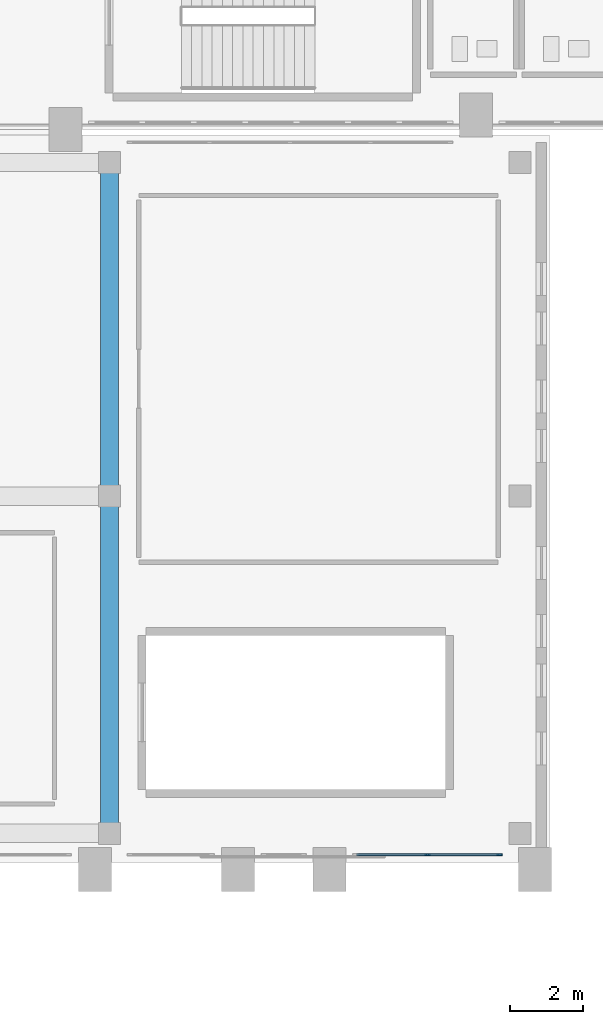
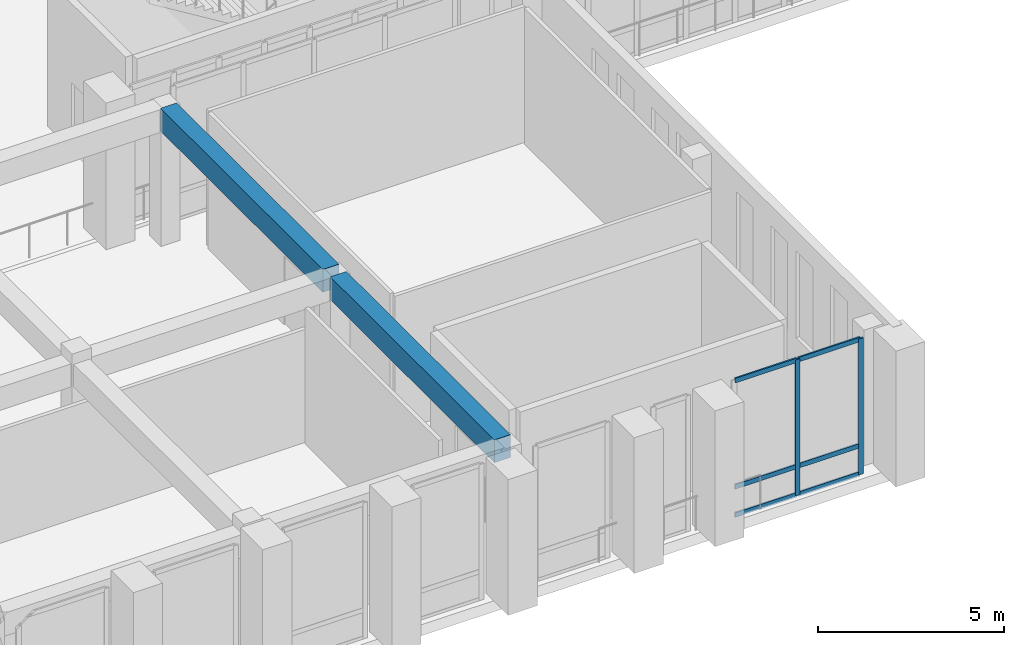
# One storey, part 19 of 126: 8 members, 2 beams, 1 element without a shape of its own.
"""IFC4 building model written with IfcOpenShell, lengths in metres."""

from ifc_helpers import new_model, si_unit, derived_unit, direction, frame, origin, origin_2d, place, context, subcontext, project, spatial, rectangle, extrude, material, layer, layer_set, material_profile, profile_set, type_object, element, aggregate, save


model = new_model("IFC4")

# Units and contexts
model_context = context("Model", 3, precision=1e-05, world=origin(), true_north=direction((0.0, 1.0)))
body_context = subcontext(model_context, "Body", "Model", "MODEL_VIEW")
ifc_project = project(units=[si_unit("LENGTHUNIT", "METRE"), si_unit("AREAUNIT", "SQUARE_METRE"), si_unit("VOLUMEUNIT", "CUBIC_METRE"), si_unit("PLANEANGLEUNIT", "RADIAN"), si_unit("MASSUNIT", "GRAM", prefix="KILO"), derived_unit("THERMALTRANSMITTANCEUNIT", [(si_unit("MASSUNIT", "GRAM", prefix="KILO"), 1), (si_unit("TIMEUNIT", "SECOND"), -3), (si_unit("THERMODYNAMICTEMPERATUREUNIT", "KELVIN"), -1)])], contexts=[model_context])

# Site, building, storey
site_placement = place(None, origin())
site = spatial("IfcSite", under=ifc_project, at=site_placement, CompositionType="ELEMENT")
building_placement = place(site_placement, origin())
building = spatial("IfcBuilding", under=site, at=building_placement, Name="Valcora Ridge Arena", CompositionType="ELEMENT")
storey_placement = place(building_placement, frame((0.0, 0.0, 11.39990234375)))
storey = spatial("IfcBuildingStorey", under=building, at=storey_placement, Name="L02", CompositionType="ELEMENT", Elevation=11.39990234375)

# Beams
ifc_material_1 = material(Name="Concrete C40/50", Category="concrete")
ifc_material_profile_1 = material_profile(ifc_material_1, rectangle(XDim=0.5, YDim=0.75, at=origin_2d()), Name="RC 500x750")
ifc_profile_set_1 = profile_set([ifc_material_profile_1], Name="Concrete C40/50")
beam_type = type_object("IfcBeamType", Name="TY-BEAM-B-RC500-Y", PredefinedType="BEAM", material=ifc_profile_set_1)
beam_1_placement = place(storey_placement, frame((48.0, 1.0, 4.0751953125), z_axis=(0.0, 1.0, 0.0), x_axis=(-1.0, 0.0, 0.0)))
element("IfcBeam", 1, at=beam_1_placement, inside=storey, type_object=beam_type, Name="B-RC500-Y BEM-B-RC500-Y-0090", PredefinedType="BEAM", context=body_context, shape_type="SweptSolid", body=[
    extrude(rectangle(XDim=0.5, YDim=0.75, at=origin_2d()), origin(), (0.0, 0.0, 1.0), 8.800048828125),
])
beam_2_placement = place(storey_placement, frame((48.0, 10.199951171875, 4.0751953125), z_axis=(0.0, 1.0, 0.0), x_axis=(-1.0, 0.0, 0.0)))
element("IfcBeam", 2, at=beam_2_placement, inside=storey, type_object=beam_type, Name="B-RC500-Y BEM-B-RC500-Y-0091", PredefinedType="BEAM", context=body_context, shape_type="SweptSolid", body=[
    extrude(rectangle(XDim=0.5, YDim=0.75, at=origin_2d()), origin(), (0.0, 0.0, 1.0), 8.699951171875),
])

# Curtain wall, members
ifc_material_2 = material(Name="Anodised dark bronze architectural aluminium 6063-T6", Category="aluminium")
ifc_layer = layer(ifc_material_2, 0.14990234375, Name="Anodised dark bronze architectural aluminium 6063-T6")
ifc_layer_set = layer_set([ifc_layer], Name="Anodised dark bronze architectural aluminium 6063-T6")
curtain_wall_type = type_object("IfcCurtainWallType", Name="TY-CURTAINWALL-CW-V4-CLUB-040X44", PredefinedType="NOTDEFINED", material=ifc_layer_set)
curtain_wall_placement = place(storey_placement, origin())
curtain_wall = element("IfcCurtainWall", 3, at=curtain_wall_placement, inside=storey, type_object=curtain_wall_type, Name="CW-V4-CLUB-040X44 CW-0248", PredefinedType="NOTDEFINED")
ifc_material_profile_2 = material_profile(ifc_material_2, rectangle(XDim=0.050048828125, YDim=0.14990234375, at=origin_2d()), Name="ALU MULLION 50x150")
ifc_profile_set_2 = profile_set([ifc_material_profile_2], Name="Anodised dark bronze architectural aluminium 6063-T6")
member_type_1 = type_object("IfcMemberType", Name="TY-MEM-CWM-50x150", PredefinedType="MULLION", material=ifc_profile_set_2)
member_1_placement = place(storey_placement, frame((56.675048828125, 0.219970703125, 0.0), z_axis=(0.0, 0.0, 1.0), x_axis=(0.0, 1.0, 0.0)))
member_1 = element("IfcMember", 4, at=member_1_placement, type_object=member_type_1, Name="CW-0248/CWM-50x150/M01", PredefinedType="MULLION", context=body_context, shape_type="SweptSolid", body=[
    extrude(rectangle(XDim=0.050048828125, YDim=0.14990234375, at=origin_2d()), origin(), (0.0, 0.0, 1.0), 4.4501953125),
])
member_2_placement = place(storey_placement, frame((58.635009765625, 0.219970703125, 0.0), z_axis=(0.0, 0.0, 1.0), x_axis=(0.0, 1.0, 0.0)))
member_2 = element("IfcMember", 5, at=member_2_placement, type_object=member_type_1, Name="CW-0248/CWM-50x150/M02", PredefinedType="MULLION", context=body_context, shape_type="SweptSolid", body=[
    extrude(rectangle(XDim=0.050048828125, YDim=0.14990234375, at=origin_2d()), origin(), (0.0, 0.0, 1.0), 4.4501953125),
])
ifc_material_profile_3 = material_profile(ifc_material_2, rectangle(XDim=0.050048828125, YDim=0.14990234375, at=origin_2d()), Name="ALU TRANSOM 50x150")
ifc_profile_set_3 = profile_set([ifc_material_profile_3], Name="Anodised dark bronze architectural aluminium 6063-T6")
member_type_2 = type_object("IfcMemberType", Name="TY-MEM-CWT-50x150", PredefinedType="USERDEFINED", material=ifc_profile_set_3)
member_3_placement = place(storey_placement, frame((54.739990234375, 0.219970703125, 0.025146484375), z_axis=(1.0, 0.0, 0.0), x_axis=(0.0, 1.0, 0.0)))
member_3 = element("IfcMember", 6, at=member_3_placement, type_object=member_type_2, Name="CW-0248/CWT-50x150/T00-00", ObjectType="TRANSOM", PredefinedType="USERDEFINED", context=body_context, shape_type="SweptSolid", body=[
    extrude(rectangle(XDim=0.050048828125, YDim=0.14990234375, at=origin_2d()), origin(), (0.0, 0.0, 1.0), 1.909912109375),
])
member_4_placement = place(storey_placement, frame((54.739990234375, 0.219970703125, 0.9501953125), z_axis=(1.0, 0.0, 0.0), x_axis=(0.0, 1.0, 0.0)))
member_4 = element("IfcMember", 7, at=member_4_placement, type_object=member_type_2, Name="CW-0248/CWT-50x150/T00-01", ObjectType="TRANSOM", PredefinedType="USERDEFINED", context=body_context, shape_type="SweptSolid", body=[
    extrude(rectangle(XDim=0.050048828125, YDim=0.14990234375, at=origin_2d()), origin(), (0.0, 0.0, 1.0), 1.909912109375),
])
member_5_placement = place(storey_placement, frame((54.739990234375, 0.219970703125, 4.425048828125), z_axis=(1.0, 0.0, 0.0), x_axis=(0.0, 1.0, 0.0)))
member_5 = element("IfcMember", 8, at=member_5_placement, type_object=member_type_2, Name="CW-0248/CWT-50x150/T00-02", ObjectType="TRANSOM", PredefinedType="USERDEFINED", context=body_context, shape_type="SweptSolid", body=[
    extrude(rectangle(XDim=0.050048828125, YDim=0.14990234375, at=origin_2d()), origin(), (0.0, 0.0, 1.0), 1.909912109375),
])
member_6_placement = place(storey_placement, frame((56.699951171875, 0.219970703125, 0.025146484375), z_axis=(1.0, 0.0, 0.0), x_axis=(0.0, 1.0, 0.0)))
member_6 = element("IfcMember", 9, at=member_6_placement, type_object=member_type_2, Name="CW-0248/CWT-50x150/T01-00", ObjectType="TRANSOM", PredefinedType="USERDEFINED", context=body_context, shape_type="SweptSolid", body=[
    extrude(rectangle(XDim=0.050048828125, YDim=0.14990234375, at=origin_2d()), origin(), (0.0, 0.0, 1.0), 1.91015625),
])
member_7_placement = place(storey_placement, frame((56.699951171875, 0.219970703125, 0.9501953125), z_axis=(1.0, 0.0, 0.0), x_axis=(0.0, 1.0, 0.0)))
member_7 = element("IfcMember", 10, at=member_7_placement, type_object=member_type_2, Name="CW-0248/CWT-50x150/T01-01", ObjectType="TRANSOM", PredefinedType="USERDEFINED", context=body_context, shape_type="SweptSolid", body=[
    extrude(rectangle(XDim=0.050048828125, YDim=0.14990234375, at=origin_2d()), origin(), (0.0, 0.0, 1.0), 1.91015625),
])
member_8_placement = place(storey_placement, frame((56.699951171875, 0.219970703125, 4.425048828125), z_axis=(1.0, 0.0, 0.0), x_axis=(0.0, 1.0, 0.0)))
member_8 = element("IfcMember", 11, at=member_8_placement, type_object=member_type_2, Name="CW-0248/CWT-50x150/T01-02", ObjectType="TRANSOM", PredefinedType="USERDEFINED", context=body_context, shape_type="SweptSolid", body=[
    extrude(rectangle(XDim=0.050048828125, YDim=0.14990234375, at=origin_2d()), origin(), (0.0, 0.0, 1.0), 1.91015625),
])
aggregate(curtain_wall, [member_1, member_2, member_3, member_4, member_5, member_6, member_7, member_8])

save(model, "model.ifc")
